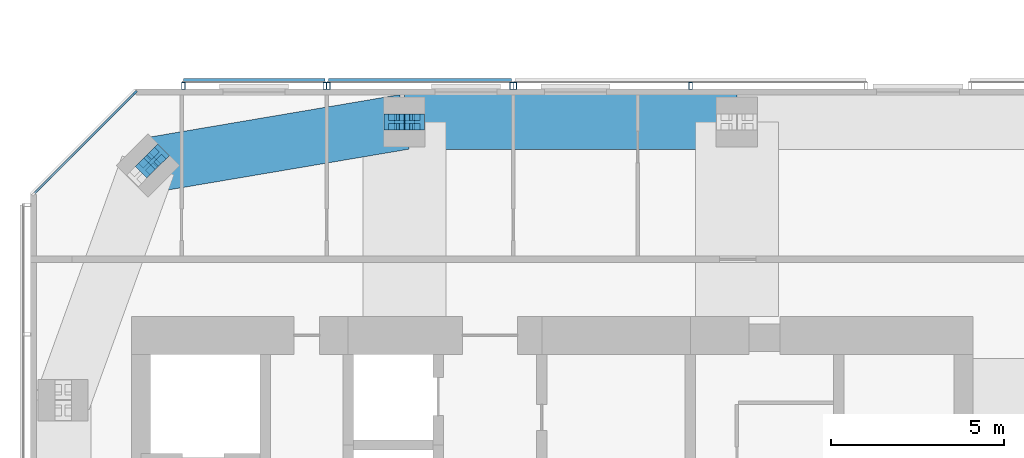
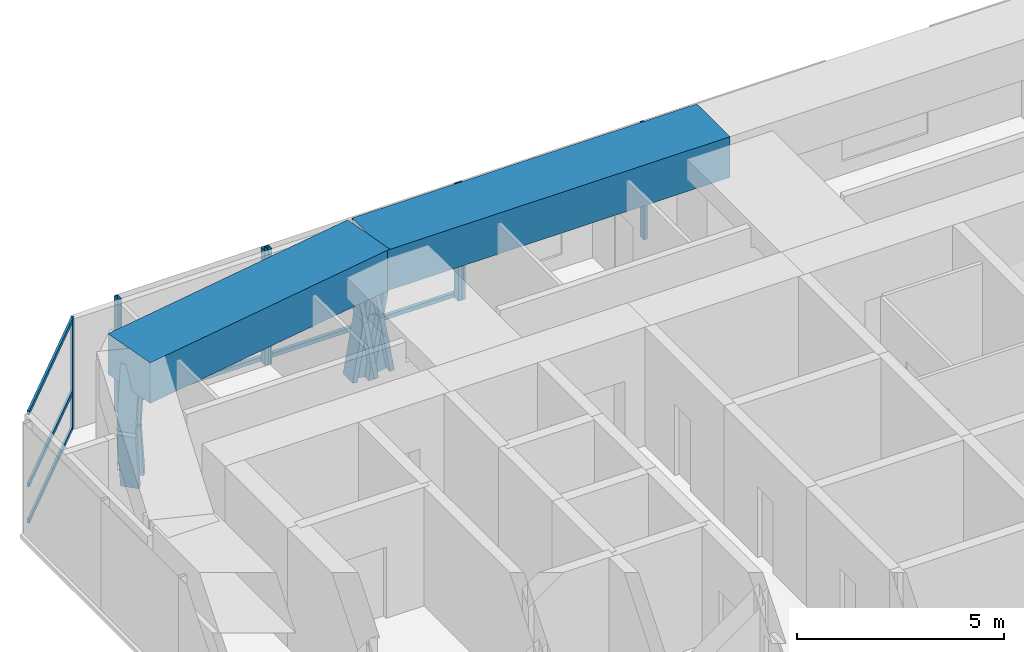
# One storey, part 10 of 20: 18 members, 2 beams, 4 elements without a shape of their own.
"""IFC4 building model written with IfcOpenShell, lengths in metres."""

from ifc_helpers import new_model, si_unit, direction, frame, origin, origin_2d, place, context, subcontext, project, spatial, rectangle, hollow_rectangle, i_section, extrude, material, material_profile, profile_set, type_object, element, aggregate, save


model = new_model("IFC4")

# Units and contexts
model_context = context("Model", 3, precision=1e-05, world=origin(), true_north=direction((0.0, 1.0)))
body_context = subcontext(model_context, "Body", "Model", "MODEL_VIEW")
ifc_project = project(units=[si_unit("LENGTHUNIT", "METRE"), si_unit("AREAUNIT", "SQUARE_METRE"), si_unit("VOLUMEUNIT", "CUBIC_METRE"), si_unit("PLANEANGLEUNIT", "RADIAN"), si_unit("MASSUNIT", "GRAM", prefix="KILO")], contexts=[model_context])

# Site, building, storey
site_placement = place(None, origin())
site = spatial("IfcSite", under=ifc_project, at=site_placement, CompositionType="ELEMENT")
building_placement = place(site_placement, origin())
building = spatial("IfcBuilding", under=site, at=building_placement, Name="Jalousie Tower", CompositionType="ELEMENT")
storey_placement = place(building_placement, frame((0.0, 0.0, 242.449951171875)))
storey = spatial("IfcBuildingStorey", under=building, at=storey_placement, Name="L66", CompositionType="ELEMENT", Elevation=242.449951171875)

# Curtain wall, members
ifc_material_1 = material(Name="Aluminium curtain wall", Category="aluminium")
curtain_wall_type_1 = type_object("IfcCurtainWallType", Name="CORNER WINDOW WALL", PredefinedType="USERDEFINED", material=ifc_material_1)
curtain_wall_1_placement = place(storey_placement, origin())
curtain_wall_1 = element("IfcCurtainWall", 1, at=curtain_wall_1_placement, inside=storey, type_object=curtain_wall_type_1, Name="Corner Window Wall L66 6", ObjectType="CORNER WINDOW WALL", PredefinedType="USERDEFINED")
ifc_material_2 = material(Name="Aluminium mullion", Category="aluminium")
ifc_material_profile_1 = material_profile(ifc_material_2, rectangle(XDim=0.06005859375, YDim=0.14990234375, at=origin_2d()), Name="MULLION 60x150")
ifc_profile_set_1 = profile_set([ifc_material_profile_1], Name="Aluminium mullion")
member_type_1 = type_object("IfcMemberType", Name="CORNER WINDOW WALL MULLION", PredefinedType="MULLION", material=ifc_profile_set_1)
member_1_placement = place(storey_placement, frame((19.830078125, 33.891357421875, 0.0), z_axis=(0.0, 0.0, 1.0), x_axis=(0.707106781187, -0.707106781187, 0.0)))
member_1 = element("IfcMember", 2, at=member_1_placement, type_object=member_type_1, Name="CW-C mullion 1", PredefinedType="MULLION", context=body_context, shape_type="SweptSolid", body=[
    extrude(rectangle(XDim=0.06005859375, YDim=0.14990234375, at=origin_2d()), origin(), (0.0, 0.0, 1.0), 3.260009765625),
])
ifc_material_3 = material(Name="Aluminium transom", Category="aluminium")
ifc_material_profile_2 = material_profile(ifc_material_3, rectangle(XDim=0.06005859375, YDim=0.1201171875, at=origin_2d()), Name="TRANSOM 60x120")
ifc_profile_set_2 = profile_set([ifc_material_profile_2], Name="Aluminium transom")
member_type_2 = type_object("IfcMemberType", Name="CORNER WINDOW WALL TRANSOM", PredefinedType="USERDEFINED", material=ifc_profile_set_2)
member_2_placement = place(storey_placement, frame((19.808837890625, 33.8701171875, 0.030029296875), z_axis=(-0.707106781187, -0.707106781187, 0.0), x_axis=(0.707106781187, -0.707106781187, 0.0)))
member_2 = element("IfcMember", 3, at=member_2_placement, type_object=member_type_2, Name="CW-C transom 1.1", ObjectType="TRANSOM", PredefinedType="USERDEFINED", context=body_context, shape_type="SweptSolid", body=[
    extrude(rectangle(XDim=0.06005859375, YDim=0.1201171875, at=origin_2d()), origin(), (0.0, 0.0, 1.0), 4.0712890625),
])
member_3_placement = place(storey_placement, frame((19.808837890625, 33.8701171875, 1.10009765625), z_axis=(-0.707106781187, -0.707106781187, 0.0), x_axis=(0.707106781187, -0.707106781187, 0.0)))
member_3 = element("IfcMember", 4, at=member_3_placement, type_object=member_type_2, Name="CW-C transom 1.2", ObjectType="TRANSOM", PredefinedType="USERDEFINED", context=body_context, shape_type="SweptSolid", body=[
    extrude(rectangle(XDim=0.06005859375, YDim=0.1201171875, at=origin_2d()), origin(), (0.0, 0.0, 1.0), 4.0712890625),
])
member_4_placement = place(storey_placement, frame((19.808837890625, 33.8701171875, 3.22998046875), z_axis=(-0.707106781187, -0.707106781187, 0.0), x_axis=(0.707106781187, -0.707106781187, 0.0)))
member_4 = element("IfcMember", 5, at=member_4_placement, type_object=member_type_2, Name="CW-C transom 1.3", ObjectType="TRANSOM", PredefinedType="USERDEFINED", context=body_context, shape_type="SweptSolid", body=[
    extrude(rectangle(XDim=0.06005859375, YDim=0.1201171875, at=origin_2d()), origin(), (0.0, 0.0, 1.0), 4.0712890625),
])
aggregate(curtain_wall_1, [member_1, member_2, member_3, member_4])

# Members
ifc_material_4 = material(Name="Steel ASTM A992 Grade 50", Category="steel")
ifc_material_profile_3 = material_profile(ifc_material_4, i_section(OverallWidth=0.472412109375, OverallDepth=0.5791015625, WebThickness=0.094970703125, FlangeThickness=0.1298828125, at=origin_2d()), Name="W14X808")
ifc_profile_set_3 = profile_set([ifc_material_profile_3], Name="Steel ASTM A992 Grade 50")
member_type_3 = type_object("IfcMemberType", Name="PERIMETER BRACE W14X808", PredefinedType="BRACE", material=ifc_profile_set_3)
for number, where, z_axis, x_axis, name in (
    (6, (27.324951171875, 33.050048828125, -0.599853515625), (0.168990530437, 0.0, 0.98561767467), (0.0, 1.0, 0.0), "Perimeter brace 11 L66 part 1"),
    (7, (27.625, 33.050048828125, 1.150146484375), (0.168990530437, 0.0, 0.98561767467), (0.0, 1.0, 0.0), "Perimeter brace 11 L66 part 2"),
    (8, (27.925048828125, 33.050048828125, -0.599853515625), (-0.168990530437, 0.0, 0.98561767467), (0.0, -1.0, 0.0), "Perimeter brace 11 L66 part 3"),
    (9, (27.625, 33.050048828125, 1.150146484375), (-0.168990530437, 0.0, 0.98561767467), (0.0, -1.0, 0.0), "Perimeter brace 11 L66 part 4"),
):
    element("IfcMember", number, at=place(storey_placement, frame(where, z_axis=z_axis, x_axis=x_axis)), inside=storey, type_object=member_type_3, Name=name, PredefinedType="BRACE", context=body_context, shape_type="SweptSolid", body=[
        extrude(i_section(OverallWidth=0.472412109375, OverallDepth=0.5791015625, WebThickness=0.094970703125, FlangeThickness=0.1298828125, at=origin_2d()), origin(), (0.0, 0.0, 1.0), 1.775634765625),
    ])
for number, where, z_axis, x_axis, name in (
    (10, (20.45458984375, 32.040283203125, -0.599853515625), (-0.138716051522, -0.138579250682, 0.980588419435), (0.706757851183, -0.707455539091, 0.0), "Perimeter brace 12 L66 part 1"),
    (11, (20.20703125, 31.79296875, 1.150146484375), (0.138716051522, 0.138579250682, 0.980588419435), (-0.706757851183, 0.707455539091, 0.0), "Perimeter brace 12 L66 part 4"),
):
    element("IfcMember", number, at=place(storey_placement, frame(where, z_axis=z_axis, x_axis=x_axis)), inside=storey, type_object=member_type_3, Name=name, PredefinedType="BRACE", context=body_context, shape_type="SweptSolid", body=[
        extrude(i_section(OverallWidth=0.472412109375, OverallDepth=0.5791015625, WebThickness=0.094970703125, FlangeThickness=0.1298828125, at=origin_2d()), origin(), (0.0, 0.0, 1.0), 1.78466796875),
    ])

# Beams
ifc_material_5 = material(Name="Concrete f'c 40 MPa", Category="concrete")
ifc_material_profile_4 = material_profile(ifc_material_5, rectangle(XDim=1.60009765625, YDim=1.199951171875, at=origin_2d()), Name="RC 1600x1200")
ifc_profile_set_4 = profile_set([ifc_material_profile_4], Name="Concrete f'c 40 MPa")
beam_type = type_object("IfcBeamType", Name="RC BEAM 1600x1200", PredefinedType="BEAM", material=ifc_profile_set_4)
beam_1_placement = place(storey_placement, frame((37.25, 33.050048828125, 2.900146484375), z_axis=(-1.0, 0.0, 0.0), x_axis=(0.0, -1.0, 0.0)))
element("IfcBeam", 12, at=beam_1_placement, inside=storey, type_object=beam_type, Name="Edge band beam 10-11 under L67", PredefinedType="BEAM", context=body_context, shape_type="SweptSolid", body=[
    extrude(rectangle(XDim=1.60009765625, YDim=1.199951171875, at=origin_2d()), origin(), (0.0, 0.0, 1.0), 9.625),
])
beam_2_placement = place(storey_placement, frame((27.625, 33.050048828125, 2.900146484375), z_axis=(-0.985942997446, -0.167082033105, 0.0), x_axis=(0.167082033105, -0.985942997446, 0.0)))
element("IfcBeam", 13, at=beam_2_placement, inside=storey, type_object=beam_type, Name="Edge band beam 11-12 under L67", PredefinedType="BEAM", context=body_context, shape_type="SweptSolid", body=[
    extrude(rectangle(XDim=1.60009765625, YDim=1.199951171875, at=origin_2d()), origin(), (0.0, 0.0, 1.0), 7.523681640625),
])

# Curtain wall, members
ifc_material_6 = material(Name="Perforated aluminium sheet", Category="aluminium")
curtain_wall_type_2 = type_object("IfcCurtainWallType", Name="SOLAR SCREEN SS-2", PredefinedType="USERDEFINED", material=ifc_material_6)
curtain_wall_2_placement = place(storey_placement, origin())
curtain_wall_2 = element("IfcCurtainWall", 14, at=curtain_wall_2_placement, inside=storey, type_object=curtain_wall_type_2, Name="Solar screen L66", ObjectType="SOLAR SCREEN SS-2", PredefinedType="USERDEFINED")
ifc_material_7 = material(Name="Steel ASTM A500 Grade C", Category="steel")
ifc_material_profile_5 = material_profile(ifc_material_7, hollow_rectangle(XDim=0.1015625, YDim=0.203125, WallThickness=0.0078125, at=origin_2d()), Name="HSS8X4X5/16")
ifc_profile_set_5 = profile_set([ifc_material_profile_5], Name="Steel ASTM A500 Grade C")
member_type_4 = type_object("IfcMemberType", Name="SOLAR SCREEN SS-2 MULLION", PredefinedType="MULLION", material=ifc_profile_set_5)
member_5_placement = place(storey_placement, frame((35.90673828125, 34.0966796875, -0.119873046875), z_axis=(0.0, 0.0, 1.0), x_axis=(-1.0, 0.0, 0.0)))
member_5 = element("IfcMember", 15, at=member_5_placement, type_object=member_type_4, Name="SS2 post 2", PredefinedType="MULLION", context=body_context, shape_type="SweptSolid", body=[
    extrude(hollow_rectangle(XDim=0.1015625, YDim=0.203125, WallThickness=0.0078125, at=origin_2d()), origin(), (0.0, 0.0, 1.0), 3.3798828125),
])
member_6_placement = place(storey_placement, frame((30.824951171875, 34.0966796875, -0.119873046875), z_axis=(0.0, 0.0, 1.0), x_axis=(-1.0, 0.0, 0.0)))
member_6 = element("IfcMember", 16, at=member_6_placement, type_object=member_type_4, Name="SS2 post 3", PredefinedType="MULLION", context=body_context, shape_type="SweptSolid", body=[
    extrude(hollow_rectangle(XDim=0.1015625, YDim=0.203125, WallThickness=0.0078125, at=origin_2d()), origin(), (0.0, 0.0, 1.0), 3.3798828125),
])
aggregate(curtain_wall_2, [member_5, member_6])

curtain_wall_3_placement = place(storey_placement, origin())
curtain_wall_3 = element("IfcCurtainWall", 17, at=curtain_wall_3_placement, inside=storey, type_object=curtain_wall_type_2, Name="Solar screen L66", ObjectType="SOLAR SCREEN SS-2", PredefinedType="USERDEFINED")
member_7_placement = place(storey_placement, frame((30.72509765625, 34.0966796875, -0.119873046875), z_axis=(0.0, 0.0, 1.0), x_axis=(-1.0, 0.0, 0.0)))
member_7 = element("IfcMember", 18, at=member_7_placement, type_object=member_type_4, Name="SS2 post 1", PredefinedType="MULLION", context=body_context, shape_type="SweptSolid", body=[
    extrude(hollow_rectangle(XDim=0.1015625, YDim=0.203125, WallThickness=0.0078125, at=origin_2d()), origin(), (0.0, 0.0, 1.0), 3.3798828125),
])
member_8_placement = place(storey_placement, frame((25.425048828125, 34.0966796875, -0.119873046875), z_axis=(0.0, 0.0, 1.0), x_axis=(-1.0, 0.0, 0.0)))
member_8 = element("IfcMember", 19, at=member_8_placement, type_object=member_type_4, Name="SS2 post 2", PredefinedType="MULLION", context=body_context, shape_type="SweptSolid", body=[
    extrude(hollow_rectangle(XDim=0.1015625, YDim=0.203125, WallThickness=0.0078125, at=origin_2d()), origin(), (0.0, 0.0, 1.0), 3.3798828125),
])

curtain_wall_4_placement = place(storey_placement, origin())
curtain_wall_4 = element("IfcCurtainWall", 20, at=curtain_wall_4_placement, inside=storey, type_object=curtain_wall_type_2, Name="Solar screen L66", ObjectType="SOLAR SCREEN SS-2", PredefinedType="USERDEFINED")
member_9_placement = place(storey_placement, frame((25.324951171875, 34.0966796875, -0.119873046875), z_axis=(0.0, 0.0, 1.0), x_axis=(-1.0, 0.0, 0.0)))
member_9 = element("IfcMember", 21, at=member_9_placement, type_object=member_type_4, Name="SS2 post 1", PredefinedType="MULLION", context=body_context, shape_type="SweptSolid", body=[
    extrude(hollow_rectangle(XDim=0.1015625, YDim=0.203125, WallThickness=0.0078125, at=origin_2d()), origin(), (0.0, 0.0, 1.0), 3.3798828125),
])
member_10_placement = place(storey_placement, frame((21.226318359375, 34.0966796875, -0.119873046875), z_axis=(0.0, 0.0, 1.0), x_axis=(-1.0, 0.0, 0.0)))
member_10 = element("IfcMember", 22, at=member_10_placement, type_object=member_type_4, Name="SS2 post 2", PredefinedType="MULLION", context=body_context, shape_type="SweptSolid", body=[
    extrude(hollow_rectangle(XDim=0.1015625, YDim=0.203125, WallThickness=0.0078125, at=origin_2d()), origin(), (0.0, 0.0, 1.0), 3.3798828125),
])

# Member
ifc_material_8 = material(Name="Extruded aluminium screen rail", Category="aluminium")
ifc_material_profile_6 = material_profile(ifc_material_8, rectangle(XDim=0.1015625, YDim=0.1201171875, at=origin_2d()), Name="RAIL 102x120")
ifc_profile_set_6 = profile_set([ifc_material_profile_6], Name="Extruded aluminium screen rail")
member_type_5 = type_object("IfcMemberType", Name="SOLAR SCREEN SS-2 TRANSOM", PredefinedType="USERDEFINED", material=ifc_profile_set_6)
member_11_placement = place(storey_placement, frame((30.72509765625, 34.2490234375, -0.06005859375), z_axis=(-1.0, 0.0, 0.0), x_axis=(0.0, -1.0, 0.0)))
member_11 = element("IfcMember", 23, at=member_11_placement, type_object=member_type_5, Name="SS2 rail", ObjectType="TRANSOM", PredefinedType="USERDEFINED", context=body_context, shape_type="SweptSolid", body=[
    extrude(rectangle(XDim=0.1015625, YDim=0.1201171875, at=origin_2d()), origin(), (0.0, 0.0, 1.0), 5.300048828125),
])

aggregate(curtain_wall_3, [member_7, member_8, member_11])

member_12_placement = place(storey_placement, frame((25.324951171875, 34.2490234375, -0.06005859375), z_axis=(-1.0, 0.0, 0.0), x_axis=(0.0, -1.0, 0.0)))
member_12 = element("IfcMember", 24, at=member_12_placement, type_object=member_type_5, Name="SS2 rail", ObjectType="TRANSOM", PredefinedType="USERDEFINED", context=body_context, shape_type="SweptSolid", body=[
    extrude(rectangle(XDim=0.1015625, YDim=0.1201171875, at=origin_2d()), origin(), (0.0, 0.0, 1.0), 4.0986328125),
])

aggregate(curtain_wall_4, [member_9, member_10, member_12])

save(model, "model.ifc")
